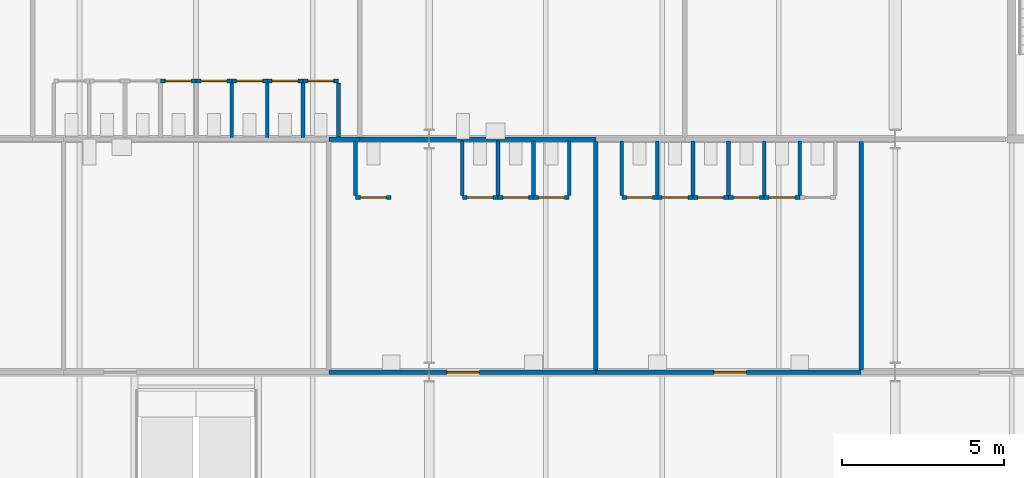
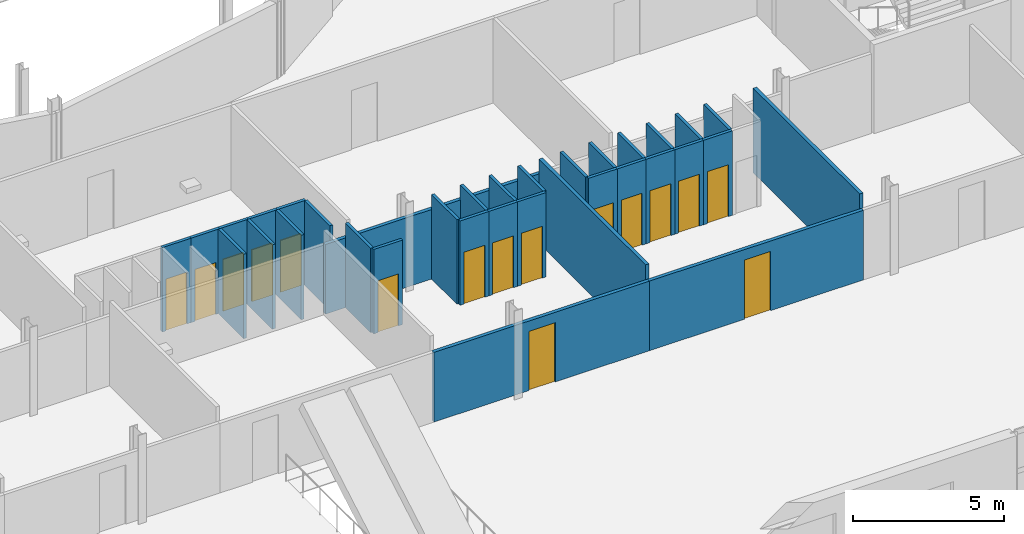
# One storey, part 70 of 143: 35 walls, 16 doors, 16 openings.
"""IFC4 building model written with IfcOpenShell, lengths in metres."""

import ifcopenshell
import ifcopenshell.guid

model = None  # the IFC model being written
_history = None  # IfcOwnerHistory: only IFC2X3 demands one
_inside = {}  # id of a spatial element -> (the spatial element, [elements in it])
_under = {}  # id of a project, library or spatial element -> (it, [spatial elements below it])
_declared = {}  # id of a project -> (the project, [libraries it declares])
_typed = {}  # id of a type object -> (the type object, [elements of that type])
_made_of = {}  # id of a material, layer set ... -> (it, [elements and type objects made of it])


def new_model(schema):
    """Start an empty IFC model of exactly this schema.

    Asked for "IFC4X3", IfcOpenShell would pick the latest addendum, in which some entities
    have other attributes; the version numbers below select the first issue.
    IFC2X3 requires an IfcOwnerHistory on every rooted entity: one is made here for all.
    """
    global model, _history
    if schema == "IFC4X3":
        model = ifcopenshell.file(schema_version=(4, 3, 0, 0))
    else:
        model = ifcopenshell.file(schema=schema)
    _inside.clear()
    _under.clear()
    _declared.clear()
    _typed.clear()
    _made_of.clear()
    _history = None
    if model.schema == "IFC2X3":
        org = make("IfcOrganization", Name="unknown")
        user = make(
            "IfcPersonAndOrganization",
            ThePerson=make("IfcPerson", FamilyName="unknown"),
            TheOrganization=org,
        )
        app = make(
            "IfcApplication",
            ApplicationDeveloper=org,
            Version="unknown",
            ApplicationFullName="unknown",
            ApplicationIdentifier="unknown",
        )
        _history = make(
            "IfcOwnerHistory",
            OwningUser=user,
            OwningApplication=app,
            ChangeAction="ADDED",
            CreationDate=0,
        )
    return model


def make(cls, **values):
    """One entity of the class cls with the attributes given. An attribute that is None is left unset."""
    return model.create_entity(
        cls, **{name: value for name, value in values.items() if value is not None}
    )


def rooted(cls, **values):
    """An entity with a GlobalId (a new one), such as an element, a storey or a relation."""
    return make(cls, GlobalId=ifcopenshell.guid.new(), OwnerHistory=_history, **values)


def si_unit(unit_type, name, prefix=None):
    """IfcSIUnit, for example si_unit("LENGTHUNIT", "METRE", prefix="MILLI")."""
    return make("IfcSIUnit", UnitType=unit_type, Prefix=prefix, Name=name)


def assignment(units):
    """IfcUnitAssignment: the units of a project."""
    return None if units is None else make("IfcUnitAssignment", Units=units)


def point(xyz):
    """IfcCartesianPoint."""
    return None if xyz is None else make("IfcCartesianPoint", Coordinates=xyz)


def direction(xyz):
    """IfcDirection."""
    return None if xyz is None else make("IfcDirection", DirectionRatios=xyz)


def frame(location, z_axis=None, x_axis=None):
    """IfcAxis2Placement3D, a coordinate frame: its origin and axes. An axis left out is left unset."""
    return make(
        "IfcAxis2Placement3D",
        Location=point(location),
        Axis=direction(z_axis),
        RefDirection=direction(x_axis),
    )


def frame_2d(location, x_axis=None):
    """IfcAxis2Placement2D, a coordinate frame in the plane: its origin and x axis."""
    return make(
        "IfcAxis2Placement2D", Location=point(location), RefDirection=direction(x_axis)
    )


def origin():
    """The frame at (0, 0, 0) with its axes left unset."""
    return frame((0.0, 0.0, 0.0))


def place(relative_to, where):
    """IfcLocalPlacement: puts the frame where relative to a parent placement (None: the world)."""
    return make(
        "IfcLocalPlacement", PlacementRelTo=relative_to, RelativePlacement=where
    )


def context(
    kind, dimensions, precision=None, world=None, true_north=None, identifier=None
):
    """IfcGeometricRepresentationContext, for example the 3D "Model" context."""
    return make(
        "IfcGeometricRepresentationContext",
        ContextIdentifier=identifier,
        ContextType=kind,
        CoordinateSpaceDimension=dimensions,
        Precision=precision,
        WorldCoordinateSystem=world,
        TrueNorth=true_north,
    )


def subcontext(parent, identifier, kind, view, scale=None):
    """IfcGeometricRepresentationSubContext, for example "Body" below "Model"."""
    return make(
        "IfcGeometricRepresentationSubContext",
        ContextIdentifier=identifier,
        ContextType=kind,
        ParentContext=parent,
        TargetScale=scale,
        TargetView=view,
    )


def project(units=None, contexts=None):
    """IfcProject with its units and contexts."""
    return rooted(
        "IfcProject",
        Name="project",
        RepresentationContexts=contexts,
        UnitsInContext=assignment(units),
    )


def spatial(cls, under=None, at=None, **own):
    """A site, building, storey or space (cls), placed at a placement, below another one or the project."""
    s = rooted(cls, ObjectPlacement=at, **own)
    if under is not None:
        _under.setdefault(under.id(), (under, []))[1].append(s)
    return s


def profile(cls, at=None, kind="AREA", **sizes):
    """A parametric profile (cls). Its sizes go by their IFC names, for example OverallWidth=200.0."""
    return make(cls, ProfileType=kind, Position=at, **sizes)


def rectangle(**sizes):
    """IfcRectangleProfileDef."""
    return profile("IfcRectangleProfileDef", **sizes)


def extrude(swept, where, along, depth):
    """IfcExtrudedAreaSolid: the profile swept, set in the frame where, extruded along a direction by depth."""
    return make(
        "IfcExtrudedAreaSolid",
        SweptArea=swept,
        Position=where,
        ExtrudedDirection=direction(along),
        Depth=depth,
    )


def shape(context_of_items, identifier, shape_type, items):
    """IfcShapeRepresentation: the items that make up one representation, for example the "Body"."""
    return make(
        "IfcShapeRepresentation",
        ContextOfItems=context_of_items,
        RepresentationIdentifier=identifier,
        RepresentationType=shape_type,
        Items=items,
    )


def material(Name=None, Category=None):
    """IfcMaterial."""
    return make("IfcMaterial", Name=Name, Category=Category)


def layer(
    of_material, thickness, ventilated=None, Name=None, Category=None, Priority=None
):
    """IfcMaterialLayer: one layer of a wall or slab, of a material (None: an air gap)."""
    return make(
        "IfcMaterialLayer",
        Material=of_material,
        LayerThickness=thickness,
        IsVentilated=ventilated,
        Name=Name,
        Category=Category,
        Priority=Priority,
    )


def layer_set(layers, Name=None):
    """IfcMaterialLayerSet."""
    return make("IfcMaterialLayerSet", MaterialLayers=layers, LayerSetName=Name)


def made_of(thing, what):
    """Note that an element or type object is made of a material, layer set ...; save() writes the relation."""
    if what is not None:
        _made_of.setdefault(what.id(), (what, []))[1].append(thing)
    return thing


def type_object(cls, material=None, **own):
    """A type object (cls), such as IfcWallType, which elements share."""
    return made_of(rooted(cls, **own), material)


def element(
    cls,
    number,
    at=None,
    inside=None,
    cuts=None,
    type_object=None,
    material=None,
    context=None,
    identifier="Body",
    shape_type=None,
    held_by="IfcProductDefinitionShape",
    body=None,
    shapes=None,
    **own,
):
    """One element of the class cls, such as IfcWall. Its Tag is "e" and its number.

    at: its placement. inside: the storey or other place that contains it. cuts: it is an
    opening in that element (IfcRelVoidsElement). A single representation is given by context,
    identifier, shape_type and body (its items); several are given by shapes. held_by: the class
    of the entity that holds the representations. save() writes the other relations.
    """
    e = rooted(cls, Tag="e%d" % number, ObjectPlacement=at, **own)
    if body is not None:
        shapes = [shape(context, identifier, shape_type, body)]
    if shapes is not None:
        e.Representation = make(held_by, Representations=shapes)
    if inside is not None:
        _inside.setdefault(inside.id(), (inside, []))[1].append(e)
    if cuts is not None:
        rooted(
            "IfcRelVoidsElement", RelatingBuildingElement=cuts, RelatedOpeningElement=e
        )
    if type_object is not None:
        _typed.setdefault(type_object.id(), (type_object, []))[1].append(e)
    return made_of(e, material)


def fill(opening, filler):
    """IfcRelFillsElement: the door or window that sits in an opening."""
    return rooted(
        "IfcRelFillsElement",
        RelatingOpeningElement=opening,
        RelatedBuildingElement=filler,
    )


def aggregate(whole, parts):
    """IfcRelAggregates: a whole, such as a stair, and the parts it consists of."""
    return rooted("IfcRelAggregates", RelatingObject=whole, RelatedObjects=parts)


def save(model, path):
    """Write the relations noted so far, then the file.

    IfcRelAggregates (storeys below a building ...), IfcRelContainedInSpatialStructure (elements
    in a storey), IfcRelDefinesByType, IfcRelAssociatesMaterial and IfcRelDeclares: one each for
    every whole, place, type object, material and project.
    """
    for whole, parts in _under.values():
        aggregate(whole, parts)
    for where, things in _inside.values():
        rooted(
            "IfcRelContainedInSpatialStructure",
            RelatedElements=things,
            RelatingStructure=where,
        )
    for kind, things in _typed.values():
        rooted("IfcRelDefinesByType", RelatedObjects=things, RelatingType=kind)
    for what, things in _made_of.values():
        rooted("IfcRelAssociatesMaterial", RelatedObjects=things, RelatingMaterial=what)
    for by, libraries in _declared.values():
        rooted("IfcRelDeclares", RelatingContext=by, RelatedDefinitions=libraries)
    model.write(path)


model = new_model("IFC4")

# Units and contexts
model_context = context("Model", 3, precision=1e-05, world=origin(), true_north=direction((0.0, 1.0)))
body_context = subcontext(model_context, "Body", "Model", "MODEL_VIEW")
ifc_project = project(units=[si_unit("LENGTHUNIT", "METRE"), si_unit("AREAUNIT", "SQUARE_METRE"), si_unit("VOLUMEUNIT", "CUBIC_METRE"), si_unit("PLANEANGLEUNIT", "RADIAN"), si_unit("MASSUNIT", "GRAM", prefix="KILO")], contexts=[model_context])

# Site, building, storey
site_placement = place(None, origin())
site = spatial("IfcSite", under=ifc_project, at=site_placement, CompositionType="ELEMENT")
building_placement = place(site_placement, origin())
building = spatial("IfcBuilding", under=site, at=building_placement, Name="Kupolbacken Congress Centre", CompositionType="ELEMENT")
storey_placement = place(building_placement, frame((0.0, 0.0, 7.199951171875)))
storey = spatial("IfcBuildingStorey", under=building, at=storey_placement, Name="L02", CompositionType="ELEMENT", Elevation=7.199951171875)

# Wall, opening, door
ifc_material_1 = material(Name="Gypsum board", Category="drywall")
ifc_layer_1 = layer(ifc_material_1, 0.114990234375)
ifc_layer_set_1 = layer_set([ifc_layer_1], Name="Gypsum board")
wall_type_1 = type_object("IfcWallType", Name="P04 partition 115", PredefinedType="PARTITIONING", material=ifc_layer_set_1)
wall_1_placement = place(storey_placement, frame((48.125, 48.60009765625, 0.0), z_axis=(0.0, 0.0, 1.0), x_axis=(1.0, 0.0, 0.0)))
wall_1 = element("IfcWall", 1, at=wall_1_placement, inside=storey, type_object=wall_type_1, Name="PD/L02/F-18/cub01/F", PredefinedType="PARTITIONING", context=body_context, shape_type="SweptSolid", body=[
    extrude(rectangle(XDim=1.10009765625, YDim=0.114990234375, at=frame_2d((0.550048828125, 0.0))), origin(), (0.0, 0.0, 1.0), 3.420166015625),
])
opening_1_placement = place(wall_1_placement, frame((0.14990234375, 0.0, 0.0)))
opening_1 = element("IfcOpeningElement", 2, at=opening_1_placement, cuts=wall_1, Name="Opening 2.WF45", PredefinedType="OPENING", context=body_context, shape_type="SweptSolid", body=[
    extrude(rectangle(XDim=0.800048828125, YDim=2.10009765625, at=frame_2d((0.39990234375, 1.050048828125))), frame((0.0, 0.0673828125, 0.0), z_axis=(0.0, -1.0, 0.0), x_axis=(1.0, 0.0, 0.0)), (0.0, 0.0, 1.0), 0.135009765625),
])
ifc_material_2 = material(Name="Timber door leaf", Category="wood")
door_type_1 = type_object("IfcDoorType", Name="D2 door 800x2100", OperationType="SINGLE_SWING_LEFT", PredefinedType="DOOR", material=ifc_material_2)
door_1_placement = place(opening_1_placement, origin())
door_1 = element("IfcDoor", 3, at=door_1_placement, inside=storey, type_object=door_type_1, Name="PD/L02/F-18/cub01/F/DC", OperationType="SINGLE_SWING_RIGHT", OverallHeight=2.10009765625, OverallWidth=0.800048828125, PredefinedType="DOOR", context=body_context, shape_type="SweptSolid", body=[
    extrude(rectangle(XDim=0.800048828125, YDim=2.10009765625, at=frame_2d((0.39990234375, 1.050048828125))), frame((0.0, 0.02490234375, 0.0), z_axis=(0.0, -1.0, 0.0), x_axis=(1.0, 0.0, 0.0)), (0.0, 0.0, 1.0), 0.050048828125),
])
fill(opening_1, door_1)

# Wall
wall_2_placement = place(storey_placement, frame((48.125, 50.342529296875, 0.0), z_axis=(0.0, 0.0, 1.0), x_axis=(0.0, -1.0, 0.0)))
element("IfcWall", 4, at=wall_2_placement, inside=storey, type_object=wall_type_1, Name="PD/L02/F-18/cub01/a", PredefinedType="PARTITIONING", context=body_context, shape_type="SweptSolid", body=[
    extrude(rectangle(XDim=1.68505859375, YDim=0.114990234375, at=frame_2d((0.842529296875, 0.0))), origin(), (0.0, 0.0, 1.0), 3.420166015625),
])

# Wall, opening, door
wall_3_placement = place(storey_placement, frame((51.425048828125, 48.60009765625, 0.0), z_axis=(0.0, 0.0, 1.0), x_axis=(1.0, 0.0, 0.0)))
wall_3 = element("IfcWall", 5, at=wall_3_placement, inside=storey, type_object=wall_type_1, Name="PD/L02/F-18/cub04/F", PredefinedType="PARTITIONING", context=body_context, shape_type="SweptSolid", body=[
    extrude(rectangle(XDim=1.099853515625, YDim=0.114990234375, at=frame_2d((0.5498046875, 0.0))), origin(), (0.0, 0.0, 1.0), 3.420166015625),
])
opening_2_placement = place(wall_3_placement, frame((0.14990234375, 0.0, 0.0)))
opening_2 = element("IfcOpeningElement", 6, at=opening_2_placement, cuts=wall_3, Name="Opening 2.WF46", PredefinedType="OPENING", context=body_context, shape_type="SweptSolid", body=[
    extrude(rectangle(XDim=0.800048828125, YDim=2.10009765625, at=frame_2d((0.39990234375, 1.050048828125))), frame((0.0, 0.0673828125, 0.0), z_axis=(0.0, -1.0, 0.0), x_axis=(1.0, 0.0, 0.0)), (0.0, 0.0, 1.0), 0.135009765625),
])
door_2_placement = place(opening_2_placement, origin())
door_2 = element("IfcDoor", 7, at=door_2_placement, inside=storey, type_object=door_type_1, Name="PD/L02/F-18/cub04/F/DC", OperationType="SINGLE_SWING_LEFT", OverallHeight=2.10009765625, OverallWidth=0.800048828125, PredefinedType="DOOR", context=body_context, shape_type="SweptSolid", body=[
    extrude(rectangle(XDim=0.800048828125, YDim=2.10009765625, at=frame_2d((0.39990234375, 1.050048828125))), frame((0.0, 0.02490234375, 0.0), z_axis=(0.0, -1.0, 0.0), x_axis=(1.0, 0.0, 0.0)), (0.0, 0.0, 1.0), 0.050048828125),
])
fill(opening_2, door_2)

# Wall
wall_4_placement = place(storey_placement, frame((51.425048828125, 50.342529296875, 0.0), z_axis=(0.0, 0.0, 1.0), x_axis=(0.0, -1.0, 0.0)))
element("IfcWall", 8, at=wall_4_placement, inside=storey, type_object=wall_type_1, Name="PD/L02/F-18/cub04/a", PredefinedType="PARTITIONING", context=body_context, shape_type="SweptSolid", body=[
    extrude(rectangle(XDim=1.68505859375, YDim=0.114990234375, at=frame_2d((0.842529296875, 0.0))), origin(), (0.0, 0.0, 1.0), 3.420166015625),
])

# Wall, opening, door
wall_5_placement = place(storey_placement, frame((52.52490234375, 48.60009765625, 0.0), z_axis=(0.0, 0.0, 1.0), x_axis=(1.0, 0.0, 0.0)))
wall_5 = element("IfcWall", 9, at=wall_5_placement, inside=storey, type_object=wall_type_1, Name="PD/L02/F-18/cub05/F", PredefinedType="PARTITIONING", context=body_context, shape_type="SweptSolid", body=[
    extrude(rectangle(XDim=1.10009765625, YDim=0.114990234375, at=frame_2d((0.550048828125, 0.0))), origin(), (0.0, 0.0, 1.0), 3.420166015625),
])
opening_3_placement = place(wall_5_placement, frame((0.14990234375, 0.0, 0.0)))
opening_3 = element("IfcOpeningElement", 10, at=opening_3_placement, cuts=wall_5, Name="Opening 2.WF47", PredefinedType="OPENING", context=body_context, shape_type="SweptSolid", body=[
    extrude(rectangle(XDim=0.800048828125, YDim=2.10009765625, at=frame_2d((0.39990234375, 1.050048828125))), frame((0.0, 0.0673828125, 0.0), z_axis=(0.0, -1.0, 0.0), x_axis=(1.0, 0.0, 0.0)), (0.0, 0.0, 1.0), 0.135009765625),
])
door_3_placement = place(opening_3_placement, origin())
door_3 = element("IfcDoor", 11, at=door_3_placement, inside=storey, type_object=door_type_1, Name="PD/L02/F-18/cub05/F/DC", OperationType="SINGLE_SWING_RIGHT", OverallHeight=2.10009765625, OverallWidth=0.800048828125, PredefinedType="DOOR", context=body_context, shape_type="SweptSolid", body=[
    extrude(rectangle(XDim=0.800048828125, YDim=2.10009765625, at=frame_2d((0.39990234375, 1.050048828125))), frame((0.0, 0.02490234375, 0.0), z_axis=(0.0, -1.0, 0.0), x_axis=(1.0, 0.0, 0.0)), (0.0, 0.0, 1.0), 0.050048828125),
])
fill(opening_3, door_3)

# Wall
wall_6_placement = place(storey_placement, frame((52.52490234375, 50.342529296875, 0.0), z_axis=(0.0, 0.0, 1.0), x_axis=(0.0, -1.0, 0.0)))
element("IfcWall", 12, at=wall_6_placement, inside=storey, type_object=wall_type_1, Name="PD/L02/F-18/cub05/a", PredefinedType="PARTITIONING", context=body_context, shape_type="SweptSolid", body=[
    extrude(rectangle(XDim=1.68505859375, YDim=0.114990234375, at=frame_2d((0.842529296875, 0.0))), origin(), (0.0, 0.0, 1.0), 3.420166015625),
])

# Wall, opening, door
wall_7_placement = place(storey_placement, frame((53.625, 48.60009765625, 0.0), z_axis=(0.0, 0.0, 1.0), x_axis=(1.0, 0.0, 0.0)))
wall_7 = element("IfcWall", 13, at=wall_7_placement, inside=storey, type_object=wall_type_1, Name="PD/L02/F-18/cub06/F", PredefinedType="PARTITIONING", context=body_context, shape_type="SweptSolid", body=[
    extrude(rectangle(XDim=1.10009765625, YDim=0.114990234375, at=frame_2d((0.550048828125, 0.0))), origin(), (0.0, 0.0, 1.0), 3.420166015625),
])
opening_4_placement = place(wall_7_placement, frame((0.14990234375, 0.0, 0.0)))
opening_4 = element("IfcOpeningElement", 14, at=opening_4_placement, cuts=wall_7, Name="Opening 2.WF48", PredefinedType="OPENING", context=body_context, shape_type="SweptSolid", body=[
    extrude(rectangle(XDim=0.800048828125, YDim=2.10009765625, at=frame_2d((0.39990234375, 1.050048828125))), frame((0.0, 0.0673828125, 0.0), z_axis=(0.0, -1.0, 0.0), x_axis=(1.0, 0.0, 0.0)), (0.0, 0.0, 1.0), 0.135009765625),
])
door_4_placement = place(opening_4_placement, origin())
door_4 = element("IfcDoor", 15, at=door_4_placement, inside=storey, type_object=door_type_1, Name="PD/L02/F-18/cub06/F/DC", OperationType="SINGLE_SWING_LEFT", OverallHeight=2.10009765625, OverallWidth=0.800048828125, PredefinedType="DOOR", context=body_context, shape_type="SweptSolid", body=[
    extrude(rectangle(XDim=0.800048828125, YDim=2.10009765625, at=frame_2d((0.39990234375, 1.050048828125))), frame((0.0, 0.02490234375, 0.0), z_axis=(0.0, -1.0, 0.0), x_axis=(1.0, 0.0, 0.0)), (0.0, 0.0, 1.0), 0.050048828125),
])
fill(opening_4, door_4)

# Walls
for number, where, z_axis, x_axis, name in (
    (16, (53.625, 50.342529296875, 0.0), (0.0, 0.0, 1.0), (0.0, -1.0, 0.0), "PD/L02/F-18/cub06/a"),
    (17, (54.72509765625, 50.342529296875, 0.0), (0.0, 0.0, 1.0), (0.0, -1.0, 0.0), "PD/L02/F-18/cub06/b"),
):
    element("IfcWall", number, at=place(storey_placement, frame(where, z_axis=z_axis, x_axis=x_axis)), inside=storey, type_object=wall_type_1, Name=name, PredefinedType="PARTITIONING", context=body_context, shape_type="SweptSolid", body=[
        extrude(rectangle(XDim=1.68505859375, YDim=0.114990234375, at=frame_2d((0.842529296875, 0.0))), origin(), (0.0, 0.0, 1.0), 3.420166015625),
    ])

# Wall, opening, door
wall_8_placement = place(storey_placement, frame((56.35009765625, 48.60009765625, 0.0), z_axis=(0.0, 0.0, 1.0), x_axis=(1.0, 0.0, 0.0)))
wall_8 = element("IfcWall", 18, at=wall_8_placement, inside=storey, type_object=wall_type_1, Name="PD/L02/F-19/cub01/F", PredefinedType="PARTITIONING", context=body_context, shape_type="SweptSolid", body=[
    extrude(rectangle(XDim=1.099853515625, YDim=0.114990234375, at=frame_2d((0.5498046875, 0.0))), origin(), (0.0, 0.0, 1.0), 3.420166015625),
])
opening_5_placement = place(wall_8_placement, frame((0.14990234375, 0.0, 0.0)))
opening_5 = element("IfcOpeningElement", 19, at=opening_5_placement, cuts=wall_8, Name="Opening 2.WF49", PredefinedType="OPENING", context=body_context, shape_type="SweptSolid", body=[
    extrude(rectangle(XDim=0.800048828125, YDim=2.10009765625, at=frame_2d((0.39990234375, 1.050048828125))), frame((0.0, 0.0673828125, 0.0), z_axis=(0.0, -1.0, 0.0), x_axis=(1.0, 0.0, 0.0)), (0.0, 0.0, 1.0), 0.135009765625),
])
door_5_placement = place(opening_5_placement, origin())
door_5 = element("IfcDoor", 20, at=door_5_placement, inside=storey, type_object=door_type_1, Name="PD/L02/F-19/cub01/F/DC", OperationType="SINGLE_SWING_RIGHT", OverallHeight=2.10009765625, OverallWidth=0.800048828125, PredefinedType="DOOR", context=body_context, shape_type="SweptSolid", body=[
    extrude(rectangle(XDim=0.800048828125, YDim=2.10009765625, at=frame_2d((0.39990234375, 1.050048828125))), frame((0.0, 0.02490234375, 0.0), z_axis=(0.0, -1.0, 0.0), x_axis=(1.0, 0.0, 0.0)), (0.0, 0.0, 1.0), 0.050048828125),
])
fill(opening_5, door_5)

# Wall
wall_9_placement = place(storey_placement, frame((56.35009765625, 50.342529296875, 0.0), z_axis=(0.0, 0.0, 1.0), x_axis=(0.0, -1.0, 0.0)))
element("IfcWall", 21, at=wall_9_placement, inside=storey, type_object=wall_type_1, Name="PD/L02/F-19/cub01/a", PredefinedType="PARTITIONING", context=body_context, shape_type="SweptSolid", body=[
    extrude(rectangle(XDim=1.68505859375, YDim=0.114990234375, at=frame_2d((0.842529296875, 0.0))), origin(), (0.0, 0.0, 1.0), 3.420166015625),
])

# Wall, opening, door
wall_10_placement = place(storey_placement, frame((57.449951171875, 48.60009765625, 0.0), z_axis=(0.0, 0.0, 1.0), x_axis=(1.0, 0.0, 0.0)))
wall_10 = element("IfcWall", 22, at=wall_10_placement, inside=storey, type_object=wall_type_1, Name="PD/L02/F-19/cub02/F", PredefinedType="PARTITIONING", context=body_context, shape_type="SweptSolid", body=[
    extrude(rectangle(XDim=1.10009765625, YDim=0.114990234375, at=frame_2d((0.550048828125, 0.0))), origin(), (0.0, 0.0, 1.0), 3.420166015625),
])
opening_6_placement = place(wall_10_placement, frame((0.14990234375, 0.0, 0.0)))
opening_6 = element("IfcOpeningElement", 23, at=opening_6_placement, cuts=wall_10, Name="Opening 2.WF50", PredefinedType="OPENING", context=body_context, shape_type="SweptSolid", body=[
    extrude(rectangle(XDim=0.800048828125, YDim=2.10009765625, at=frame_2d((0.39990234375, 1.050048828125))), frame((0.0, 0.0673828125, 0.0), z_axis=(0.0, -1.0, 0.0), x_axis=(1.0, 0.0, 0.0)), (0.0, 0.0, 1.0), 0.135009765625),
])
door_6_placement = place(opening_6_placement, origin())
door_6 = element("IfcDoor", 24, at=door_6_placement, inside=storey, type_object=door_type_1, Name="PD/L02/F-19/cub02/F/DC", OperationType="SINGLE_SWING_RIGHT", OverallHeight=2.10009765625, OverallWidth=0.800048828125, PredefinedType="DOOR", context=body_context, shape_type="SweptSolid", body=[
    extrude(rectangle(XDim=0.800048828125, YDim=2.10009765625, at=frame_2d((0.39990234375, 1.050048828125))), frame((0.0, 0.02490234375, 0.0), z_axis=(0.0, -1.0, 0.0), x_axis=(1.0, 0.0, 0.0)), (0.0, 0.0, 1.0), 0.050048828125),
])
fill(opening_6, door_6)

# Wall
wall_11_placement = place(storey_placement, frame((57.449951171875, 50.342529296875, 0.0), z_axis=(0.0, 0.0, 1.0), x_axis=(0.0, -1.0, 0.0)))
element("IfcWall", 25, at=wall_11_placement, inside=storey, type_object=wall_type_1, Name="PD/L02/F-19/cub02/a", PredefinedType="PARTITIONING", context=body_context, shape_type="SweptSolid", body=[
    extrude(rectangle(XDim=1.68505859375, YDim=0.114990234375, at=frame_2d((0.842529296875, 0.0))), origin(), (0.0, 0.0, 1.0), 3.420166015625),
])

# Wall, opening, door
wall_12_placement = place(storey_placement, frame((58.550048828125, 48.60009765625, 0.0), z_axis=(0.0, 0.0, 1.0), x_axis=(1.0, 0.0, 0.0)))
wall_12 = element("IfcWall", 26, at=wall_12_placement, inside=storey, type_object=wall_type_1, Name="PD/L02/F-19/cub03/F", PredefinedType="PARTITIONING", context=body_context, shape_type="SweptSolid", body=[
    extrude(rectangle(XDim=1.099853515625, YDim=0.114990234375, at=frame_2d((0.5498046875, 0.0))), origin(), (0.0, 0.0, 1.0), 3.420166015625),
])
opening_7_placement = place(wall_12_placement, frame((0.14990234375, 0.0, 0.0)))
opening_7 = element("IfcOpeningElement", 27, at=opening_7_placement, cuts=wall_12, Name="Opening 2.WF51", PredefinedType="OPENING", context=body_context, shape_type="SweptSolid", body=[
    extrude(rectangle(XDim=0.800048828125, YDim=2.10009765625, at=frame_2d((0.39990234375, 1.050048828125))), frame((0.0, 0.0673828125, 0.0), z_axis=(0.0, -1.0, 0.0), x_axis=(1.0, 0.0, 0.0)), (0.0, 0.0, 1.0), 0.135009765625),
])
door_7_placement = place(opening_7_placement, origin())
door_7 = element("IfcDoor", 28, at=door_7_placement, inside=storey, type_object=door_type_1, Name="PD/L02/F-19/cub03/F/DC", OperationType="SINGLE_SWING_RIGHT", OverallHeight=2.10009765625, OverallWidth=0.800048828125, PredefinedType="DOOR", context=body_context, shape_type="SweptSolid", body=[
    extrude(rectangle(XDim=0.800048828125, YDim=2.10009765625, at=frame_2d((0.39990234375, 1.050048828125))), frame((0.0, 0.02490234375, 0.0), z_axis=(0.0, -1.0, 0.0), x_axis=(1.0, 0.0, 0.0)), (0.0, 0.0, 1.0), 0.050048828125),
])
fill(opening_7, door_7)

# Wall
wall_13_placement = place(storey_placement, frame((58.550048828125, 50.342529296875, 0.0), z_axis=(0.0, 0.0, 1.0), x_axis=(0.0, -1.0, 0.0)))
element("IfcWall", 29, at=wall_13_placement, inside=storey, type_object=wall_type_1, Name="PD/L02/F-19/cub03/a", PredefinedType="PARTITIONING", context=body_context, shape_type="SweptSolid", body=[
    extrude(rectangle(XDim=1.68505859375, YDim=0.114990234375, at=frame_2d((0.842529296875, 0.0))), origin(), (0.0, 0.0, 1.0), 3.420166015625),
])

# Wall, opening, door
wall_14_placement = place(storey_placement, frame((59.64990234375, 48.60009765625, 0.0), z_axis=(0.0, 0.0, 1.0), x_axis=(1.0, 0.0, 0.0)))
wall_14 = element("IfcWall", 30, at=wall_14_placement, inside=storey, type_object=wall_type_1, Name="PD/L02/F-19/cub04/F", PredefinedType="PARTITIONING", context=body_context, shape_type="SweptSolid", body=[
    extrude(rectangle(XDim=1.10009765625, YDim=0.114990234375, at=frame_2d((0.550048828125, 0.0))), origin(), (0.0, 0.0, 1.0), 3.420166015625),
])
opening_8_placement = place(wall_14_placement, frame((0.14990234375, 0.0, 0.0)))
opening_8 = element("IfcOpeningElement", 31, at=opening_8_placement, cuts=wall_14, Name="Opening 2.WF52", PredefinedType="OPENING", context=body_context, shape_type="SweptSolid", body=[
    extrude(rectangle(XDim=0.800048828125, YDim=2.10009765625, at=frame_2d((0.39990234375, 1.050048828125))), frame((0.0, 0.0673828125, 0.0), z_axis=(0.0, -1.0, 0.0), x_axis=(1.0, 0.0, 0.0)), (0.0, 0.0, 1.0), 0.135009765625),
])
door_8_placement = place(opening_8_placement, origin())
door_8 = element("IfcDoor", 32, at=door_8_placement, inside=storey, type_object=door_type_1, Name="PD/L02/F-19/cub04/F/DC", OperationType="SINGLE_SWING_LEFT", OverallHeight=2.10009765625, OverallWidth=0.800048828125, PredefinedType="DOOR", context=body_context, shape_type="SweptSolid", body=[
    extrude(rectangle(XDim=0.800048828125, YDim=2.10009765625, at=frame_2d((0.39990234375, 1.050048828125))), frame((0.0, 0.02490234375, 0.0), z_axis=(0.0, -1.0, 0.0), x_axis=(1.0, 0.0, 0.0)), (0.0, 0.0, 1.0), 0.050048828125),
])
fill(opening_8, door_8)

# Wall
wall_15_placement = place(storey_placement, frame((59.64990234375, 50.342529296875, 0.0), z_axis=(0.0, 0.0, 1.0), x_axis=(0.0, -1.0, 0.0)))
element("IfcWall", 33, at=wall_15_placement, inside=storey, type_object=wall_type_1, Name="PD/L02/F-19/cub04/a", PredefinedType="PARTITIONING", context=body_context, shape_type="SweptSolid", body=[
    extrude(rectangle(XDim=1.68505859375, YDim=0.114990234375, at=frame_2d((0.842529296875, 0.0))), origin(), (0.0, 0.0, 1.0), 3.420166015625),
])

# Wall, opening, door
wall_16_placement = place(storey_placement, frame((60.75, 48.60009765625, 0.0), z_axis=(0.0, 0.0, 1.0), x_axis=(1.0, 0.0, 0.0)))
wall_16 = element("IfcWall", 34, at=wall_16_placement, inside=storey, type_object=wall_type_1, Name="PD/L02/F-19/cub05/F", PredefinedType="PARTITIONING", context=body_context, shape_type="SweptSolid", body=[
    extrude(rectangle(XDim=1.10009765625, YDim=0.114990234375, at=frame_2d((0.550048828125, 0.0))), origin(), (0.0, 0.0, 1.0), 3.420166015625),
])
opening_9_placement = place(wall_16_placement, frame((0.14990234375, 0.0, 0.0)))
opening_9 = element("IfcOpeningElement", 35, at=opening_9_placement, cuts=wall_16, Name="Opening 2.WF53", PredefinedType="OPENING", context=body_context, shape_type="SweptSolid", body=[
    extrude(rectangle(XDim=0.800048828125, YDim=2.10009765625, at=frame_2d((0.39990234375, 1.050048828125))), frame((0.0, 0.0673828125, 0.0), z_axis=(0.0, -1.0, 0.0), x_axis=(1.0, 0.0, 0.0)), (0.0, 0.0, 1.0), 0.135009765625),
])
door_9_placement = place(opening_9_placement, origin())
door_9 = element("IfcDoor", 36, at=door_9_placement, inside=storey, type_object=door_type_1, Name="PD/L02/F-19/cub05/F/DC", OperationType="SINGLE_SWING_RIGHT", OverallHeight=2.10009765625, OverallWidth=0.800048828125, PredefinedType="DOOR", context=body_context, shape_type="SweptSolid", body=[
    extrude(rectangle(XDim=0.800048828125, YDim=2.10009765625, at=frame_2d((0.39990234375, 1.050048828125))), frame((0.0, 0.02490234375, 0.0), z_axis=(0.0, -1.0, 0.0), x_axis=(1.0, 0.0, 0.0)), (0.0, 0.0, 1.0), 0.050048828125),
])
fill(opening_9, door_9)

# Walls
for number, where, z_axis, x_axis, name in (
    (37, (60.75, 50.342529296875, 0.0), (0.0, 0.0, 1.0), (0.0, -1.0, 0.0), "PD/L02/F-19/cub05/a"),
    (38, (61.85009765625, 50.342529296875, 0.0), (0.0, 0.0, 1.0), (0.0, -1.0, 0.0), "PD/L02/F-19/cub06/a"),
):
    element("IfcWall", number, at=place(storey_placement, frame(where, z_axis=z_axis, x_axis=x_axis)), inside=storey, type_object=wall_type_1, Name=name, PredefinedType="PARTITIONING", context=body_context, shape_type="SweptSolid", body=[
        extrude(rectangle(XDim=1.68505859375, YDim=0.114990234375, at=frame_2d((0.842529296875, 0.0))), origin(), (0.0, 0.0, 1.0), 3.420166015625),
    ])

# Wall, opening, door
wall_17_placement = place(storey_placement, frame((42.10009765625, 52.199951171875, 0.0), z_axis=(0.0, 0.0, 1.0), x_axis=(1.0, 0.0, 0.0)))
wall_17 = element("IfcWall", 39, at=wall_17_placement, inside=storey, type_object=wall_type_1, Name="PD/L02/P-24-6/cub04/F", PredefinedType="PARTITIONING", context=body_context, shape_type="SweptSolid", body=[
    extrude(rectangle(XDim=1.099853515625, YDim=0.114990234375, at=frame_2d((0.5498046875, 0.0))), origin(), (0.0, 0.0, 1.0), 3.420166015625),
])
opening_10_placement = place(wall_17_placement, frame((0.14990234375, 0.0, 0.0)))
opening_10 = element("IfcOpeningElement", 40, at=opening_10_placement, cuts=wall_17, Name="Opening 2.WP64", PredefinedType="OPENING", context=body_context, shape_type="SweptSolid", body=[
    extrude(rectangle(XDim=0.800048828125, YDim=2.10009765625, at=frame_2d((0.39990234375, 1.050048828125))), frame((0.0, 0.0673828125, 0.0), z_axis=(0.0, -1.0, 0.0), x_axis=(1.0, 0.0, 0.0)), (0.0, 0.0, 1.0), 0.135009765625),
])
door_10_placement = place(opening_10_placement, origin())
door_10 = element("IfcDoor", 41, at=door_10_placement, inside=storey, type_object=door_type_1, Name="PD/L02/P-24-6/cub04/F/DC", OperationType="SINGLE_SWING_RIGHT", OverallHeight=2.10009765625, OverallWidth=0.800048828125, PredefinedType="DOOR", context=body_context, shape_type="SweptSolid", body=[
    extrude(rectangle(XDim=0.800048828125, YDim=2.10009765625, at=frame_2d((0.39990234375, 1.050048828125))), frame((0.0, 0.02490234375, 0.0), z_axis=(0.0, -1.0, 0.0), x_axis=(1.0, 0.0, 0.0)), (0.0, 0.0, 1.0), 0.050048828125),
])
fill(opening_10, door_10)

wall_18_placement = place(storey_placement, frame((43.199951171875, 52.199951171875, 0.0), z_axis=(0.0, 0.0, 1.0), x_axis=(1.0, 0.0, 0.0)))
wall_18 = element("IfcWall", 42, at=wall_18_placement, inside=storey, type_object=wall_type_1, Name="PD/L02/P-24-6/cub05/F", PredefinedType="PARTITIONING", context=body_context, shape_type="SweptSolid", body=[
    extrude(rectangle(XDim=1.10009765625, YDim=0.114990234375, at=frame_2d((0.550048828125, 0.0))), origin(), (0.0, 0.0, 1.0), 3.420166015625),
])
opening_11_placement = place(wall_18_placement, frame((0.14990234375, 0.0, 0.0)))
opening_11 = element("IfcOpeningElement", 43, at=opening_11_placement, cuts=wall_18, Name="Opening 2.WP65", PredefinedType="OPENING", context=body_context, shape_type="SweptSolid", body=[
    extrude(rectangle(XDim=0.800048828125, YDim=2.10009765625, at=frame_2d((0.39990234375, 1.050048828125))), frame((0.0, 0.0673828125, 0.0), z_axis=(0.0, -1.0, 0.0), x_axis=(1.0, 0.0, 0.0)), (0.0, 0.0, 1.0), 0.135009765625),
])
door_11_placement = place(opening_11_placement, origin())
door_11 = element("IfcDoor", 44, at=door_11_placement, inside=storey, type_object=door_type_1, Name="PD/L02/P-24-6/cub05/F/DC", OperationType="SINGLE_SWING_RIGHT", OverallHeight=2.10009765625, OverallWidth=0.800048828125, PredefinedType="DOOR", context=body_context, shape_type="SweptSolid", body=[
    extrude(rectangle(XDim=0.800048828125, YDim=2.10009765625, at=frame_2d((0.39990234375, 1.050048828125))), frame((0.0, 0.02490234375, 0.0), z_axis=(0.0, -1.0, 0.0), x_axis=(1.0, 0.0, 0.0)), (0.0, 0.0, 1.0), 0.050048828125),
])
fill(opening_11, door_11)

wall_19_placement = place(storey_placement, frame((44.300048828125, 52.199951171875, 0.0), z_axis=(0.0, 0.0, 1.0), x_axis=(1.0, 0.0, 0.0)))
wall_19 = element("IfcWall", 45, at=wall_19_placement, inside=storey, type_object=wall_type_1, Name="PD/L02/P-24-6/cub06/F", PredefinedType="PARTITIONING", context=body_context, shape_type="SweptSolid", body=[
    extrude(rectangle(XDim=1.099853515625, YDim=0.114990234375, at=frame_2d((0.5498046875, 0.0))), origin(), (0.0, 0.0, 1.0), 3.420166015625),
])
opening_12_placement = place(wall_19_placement, frame((0.14990234375, 0.0, 0.0)))
opening_12 = element("IfcOpeningElement", 46, at=opening_12_placement, cuts=wall_19, Name="Opening 2.WP66", PredefinedType="OPENING", context=body_context, shape_type="SweptSolid", body=[
    extrude(rectangle(XDim=0.800048828125, YDim=2.10009765625, at=frame_2d((0.39990234375, 1.050048828125))), frame((0.0, 0.0673828125, 0.0), z_axis=(0.0, -1.0, 0.0), x_axis=(1.0, 0.0, 0.0)), (0.0, 0.0, 1.0), 0.135009765625),
])
door_12_placement = place(opening_12_placement, origin())
door_12 = element("IfcDoor", 47, at=door_12_placement, inside=storey, type_object=door_type_1, Name="PD/L02/P-24-6/cub06/F/DC", OperationType="SINGLE_SWING_LEFT", OverallHeight=2.10009765625, OverallWidth=0.800048828125, PredefinedType="DOOR", context=body_context, shape_type="SweptSolid", body=[
    extrude(rectangle(XDim=0.800048828125, YDim=2.10009765625, at=frame_2d((0.39990234375, 1.050048828125))), frame((0.0, 0.02490234375, 0.0), z_axis=(0.0, -1.0, 0.0), x_axis=(1.0, 0.0, 0.0)), (0.0, 0.0, 1.0), 0.050048828125),
])
fill(opening_12, door_12)

# Wall
wall_20_placement = place(storey_placement, frame((44.300048828125, 50.45751953125, 0.0), z_axis=(0.0, 0.0, 1.0), x_axis=(0.0, 1.0, 0.0)))
element("IfcWall", 48, at=wall_20_placement, inside=storey, type_object=wall_type_1, Name="PD/L02/P-24-6/cub06/a", PredefinedType="PARTITIONING", context=body_context, shape_type="SweptSolid", body=[
    extrude(rectangle(XDim=1.68505859375, YDim=0.114990234375, at=frame_2d((0.842529296875, 0.0))), origin(), (0.0, 0.0, 1.0), 3.420166015625),
])

# Wall, opening, door
wall_21_placement = place(storey_placement, frame((45.39990234375, 52.199951171875, 0.0), z_axis=(0.0, 0.0, 1.0), x_axis=(1.0, 0.0, 0.0)))
wall_21 = element("IfcWall", 49, at=wall_21_placement, inside=storey, type_object=wall_type_1, Name="PD/L02/P-24-6/cub07/F", PredefinedType="PARTITIONING", context=body_context, shape_type="SweptSolid", body=[
    extrude(rectangle(XDim=1.10009765625, YDim=0.114990234375, at=frame_2d((0.550048828125, 0.0))), origin(), (0.0, 0.0, 1.0), 3.420166015625),
])
opening_13_placement = place(wall_21_placement, frame((0.14990234375, 0.0, 0.0)))
opening_13 = element("IfcOpeningElement", 50, at=opening_13_placement, cuts=wall_21, Name="Opening 2.WP67", PredefinedType="OPENING", context=body_context, shape_type="SweptSolid", body=[
    extrude(rectangle(XDim=0.800048828125, YDim=2.10009765625, at=frame_2d((0.39990234375, 1.050048828125))), frame((0.0, 0.0673828125, 0.0), z_axis=(0.0, -1.0, 0.0), x_axis=(1.0, 0.0, 0.0)), (0.0, 0.0, 1.0), 0.135009765625),
])
door_13_placement = place(opening_13_placement, origin())
door_13 = element("IfcDoor", 51, at=door_13_placement, inside=storey, type_object=door_type_1, Name="PD/L02/P-24-6/cub07/F/DC", OperationType="SINGLE_SWING_LEFT", OverallHeight=2.10009765625, OverallWidth=0.800048828125, PredefinedType="DOOR", context=body_context, shape_type="SweptSolid", body=[
    extrude(rectangle(XDim=0.800048828125, YDim=2.10009765625, at=frame_2d((0.39990234375, 1.050048828125))), frame((0.0, 0.02490234375, 0.0), z_axis=(0.0, -1.0, 0.0), x_axis=(1.0, 0.0, 0.0)), (0.0, 0.0, 1.0), 0.050048828125),
])
fill(opening_13, door_13)

# Wall
wall_22_placement = place(storey_placement, frame((45.39990234375, 50.45751953125, 0.0), z_axis=(0.0, 0.0, 1.0), x_axis=(0.0, 1.0, 0.0)))
element("IfcWall", 52, at=wall_22_placement, inside=storey, type_object=wall_type_1, Name="PD/L02/P-24-6/cub07/a", PredefinedType="PARTITIONING", context=body_context, shape_type="SweptSolid", body=[
    extrude(rectangle(XDim=1.68505859375, YDim=0.114990234375, at=frame_2d((0.842529296875, 0.0))), origin(), (0.0, 0.0, 1.0), 3.420166015625),
])

# Wall, opening, door
wall_23_placement = place(storey_placement, frame((46.5, 52.199951171875, 0.0), z_axis=(0.0, 0.0, 1.0), x_axis=(1.0, 0.0, 0.0)))
wall_23 = element("IfcWall", 53, at=wall_23_placement, inside=storey, type_object=wall_type_1, Name="PD/L02/P-24-6/cub08/F", PredefinedType="PARTITIONING", context=body_context, shape_type="SweptSolid", body=[
    extrude(rectangle(XDim=1.10009765625, YDim=0.114990234375, at=frame_2d((0.550048828125, 0.0))), origin(), (0.0, 0.0, 1.0), 3.420166015625),
])
opening_14_placement = place(wall_23_placement, frame((0.14990234375, 0.0, 0.0)))
opening_14 = element("IfcOpeningElement", 54, at=opening_14_placement, cuts=wall_23, Name="Opening 2.WP68", PredefinedType="OPENING", context=body_context, shape_type="SweptSolid", body=[
    extrude(rectangle(XDim=0.800048828125, YDim=2.10009765625, at=frame_2d((0.39990234375, 1.050048828125))), frame((0.0, 0.0673828125, 0.0), z_axis=(0.0, -1.0, 0.0), x_axis=(1.0, 0.0, 0.0)), (0.0, 0.0, 1.0), 0.135009765625),
])
door_14_placement = place(opening_14_placement, origin())
door_14 = element("IfcDoor", 55, at=door_14_placement, inside=storey, type_object=door_type_1, Name="PD/L02/P-24-6/cub08/F/DC", OperationType="SINGLE_SWING_LEFT", OverallHeight=2.10009765625, OverallWidth=0.800048828125, PredefinedType="DOOR", context=body_context, shape_type="SweptSolid", body=[
    extrude(rectangle(XDim=0.800048828125, YDim=2.10009765625, at=frame_2d((0.39990234375, 1.050048828125))), frame((0.0, 0.02490234375, 0.0), z_axis=(0.0, -1.0, 0.0), x_axis=(1.0, 0.0, 0.0)), (0.0, 0.0, 1.0), 0.050048828125),
])
fill(opening_14, door_14)

# Walls
for number, where, z_axis, x_axis, name in (
    (56, (46.5, 50.45751953125, 0.0), (0.0, 0.0, 1.0), (0.0, 1.0, 0.0), "PD/L02/P-24-6/cub08/a"),
    (57, (47.60009765625, 50.45751953125, 0.0), (0.0, 0.0, 1.0), (0.0, 1.0, 0.0), "PD/L02/P-24-6/cub08/b"),
):
    element("IfcWall", number, at=place(storey_placement, frame(where, z_axis=z_axis, x_axis=x_axis)), inside=storey, type_object=wall_type_1, Name=name, PredefinedType="PARTITIONING", context=body_context, shape_type="SweptSolid", body=[
        extrude(rectangle(XDim=1.68505859375, YDim=0.114990234375, at=frame_2d((0.842529296875, 0.0))), origin(), (0.0, 0.0, 1.0), 3.420166015625),
    ])

# Wall, opening, door
ifc_material_3 = material(Name="Gypsum board", Category="drywall")
ifc_layer_2 = layer(ifc_material_3, 0.135009765625)
ifc_layer_set_2 = layer_set([ifc_layer_2], Name="Gypsum board")
wall_type_2 = type_object("IfcWallType", Name="P06 compartment wall 135", PredefinedType="PARTITIONING", material=ifc_layer_set_2)
wall_24_placement = place(storey_placement, frame((47.300048828125, 43.199951171875, 0.0), z_axis=(0.0, 0.0, 1.0), x_axis=(1.0, 0.0, 0.0)))
wall_24 = element("IfcWall", 58, at=wall_24_placement, inside=storey, type_object=wall_type_2, Name="PD/L02/W021", PredefinedType="PARTITIONING", context=body_context, shape_type="SweptSolid", body=[
    extrude(rectangle(XDim=8.25, YDim=0.135009765625, at=frame_2d((4.125, 0.0))), origin(), (0.0, 0.0, 1.0), 2.820068359375),
])
opening_15_placement = place(wall_24_placement, frame((3.64990234375, 0.0, 0.0)))
opening_15 = element("IfcOpeningElement", 59, at=opening_15_placement, cuts=wall_24, Name="Opening 2.F11", PredefinedType="OPENING", context=body_context, shape_type="SweptSolid", body=[
    extrude(rectangle(XDim=1.0, YDim=2.39990234375, at=frame_2d((0.5, 1.199951171875))), frame((0.0, 0.077392578125, 0.0), z_axis=(0.0, -1.0, 0.0), x_axis=(1.0, 0.0, 0.0)), (0.0, 0.0, 1.0), 0.155029296875),
])
ifc_material_4 = material(Name="Steel fire door leaf", Category="steel")
door_type_2 = type_object("IfcDoorType", Name="D8 fire door 1000x2400", OperationType="SINGLE_SWING_LEFT", PredefinedType="DOOR", material=ifc_material_4)
door_15_placement = place(opening_15_placement, frame((1.0, 0.0, 0.0), z_axis=(0.0, 0.0, 1.0), x_axis=(-1.0, 0.0, 0.0)))
door_15 = element("IfcDoor", 60, at=door_15_placement, inside=storey, type_object=door_type_2, Name="PD/L02/W021/D2F11", OperationType="SINGLE_SWING_RIGHT", OverallHeight=2.39990234375, OverallWidth=1.0, PredefinedType="DOOR", context=body_context, shape_type="SweptSolid", body=[
    extrude(rectangle(XDim=1.0, YDim=2.39990234375, at=frame_2d((0.5, 1.199951171875))), frame((0.0, 0.02490234375, 0.0), z_axis=(0.0, -1.0, 0.0), x_axis=(1.0, 0.0, 0.0)), (0.0, 0.0, 1.0), 0.050048828125),
])
fill(opening_15, door_15)

wall_25_placement = place(storey_placement, frame((55.550048828125, 43.199951171875, 0.0), z_axis=(0.0, 0.0, 1.0), x_axis=(1.0, 0.0, 0.0)))
wall_25 = element("IfcWall", 61, at=wall_25_placement, inside=storey, type_object=wall_type_2, Name="PD/L02/W022", PredefinedType="PARTITIONING", context=body_context, shape_type="SweptSolid", body=[
    extrude(rectangle(XDim=8.199951171875, YDim=0.135009765625, at=frame_2d((4.10009765625, 0.0))), origin(), (0.0, 0.0, 1.0), 2.820068359375),
])
opening_16_placement = place(wall_25_placement, frame((3.64990234375, 0.0, 0.0)))
opening_16 = element("IfcOpeningElement", 62, at=opening_16_placement, cuts=wall_25, Name="Opening 2.F12", PredefinedType="OPENING", context=body_context, shape_type="SweptSolid", body=[
    extrude(rectangle(XDim=1.0, YDim=2.39990234375, at=frame_2d((0.5, 1.199951171875))), frame((0.0, 0.077392578125, 0.0), z_axis=(0.0, -1.0, 0.0), x_axis=(1.0, 0.0, 0.0)), (0.0, 0.0, 1.0), 0.155029296875),
])
door_16_placement = place(opening_16_placement, frame((1.0, 0.0, 0.0), z_axis=(0.0, 0.0, 1.0), x_axis=(-1.0, 0.0, 0.0)))
door_16 = element("IfcDoor", 63, at=door_16_placement, inside=storey, type_object=door_type_2, Name="PD/L02/W022/D2F12", OperationType="SINGLE_SWING_RIGHT", OverallHeight=2.39990234375, OverallWidth=1.0, PredefinedType="DOOR", context=body_context, shape_type="SweptSolid", body=[
    extrude(rectangle(XDim=1.0, YDim=2.39990234375, at=frame_2d((0.5, 1.199951171875))), frame((0.0, 0.02490234375, 0.0), z_axis=(0.0, -1.0, 0.0), x_axis=(1.0, 0.0, 0.0)), (0.0, 0.0, 1.0), 0.050048828125),
])
fill(opening_16, door_16)

# Walls
wall_26_placement = place(storey_placement, frame((55.550048828125, 50.33251953125, 0.0), z_axis=(0.0, 0.0, 1.0), x_axis=(0.0, -1.0, 0.0)))
element("IfcWall", 64, at=wall_26_placement, inside=storey, type_object=wall_type_2, Name="PD/L02/W035", PredefinedType="PARTITIONING", context=body_context, shape_type="SweptSolid", body=[
    extrude(rectangle(XDim=7.06494140625, YDim=0.135009765625, at=frame_2d((3.532470703125, 0.0))), origin(), (0.0, 0.0, 1.0), 3.420166015625),
])
wall_27_placement = place(storey_placement, frame((47.300048828125, 50.39990234375, 0.0), z_axis=(0.0, 0.0, 1.0), x_axis=(1.0, 0.0, 0.0)))
element("IfcWall", 65, at=wall_27_placement, inside=storey, type_object=wall_type_2, Name="PD/L02/W036", PredefinedType="PARTITIONING", context=body_context, shape_type="SweptSolid", body=[
    extrude(rectangle(XDim=0.949951171875, YDim=0.135009765625, at=frame_2d((0.47509765625, 0.0))), origin(), (0.0, 0.0, 1.0), 2.820068359375),
])
wall_28_placement = place(storey_placement, frame((48.25, 50.39990234375, 0.0), z_axis=(0.0, 0.0, 1.0), x_axis=(1.0, 0.0, 0.0)))
element("IfcWall", 66, at=wall_28_placement, inside=storey, type_object=wall_type_2, Name="PD/L02/W037", PredefinedType="PARTITIONING", context=body_context, shape_type="SweptSolid", body=[
    extrude(rectangle(XDim=7.300048828125, YDim=0.135009765625, at=frame_2d((3.64990234375, 0.0))), origin(), (0.0, 0.0, 1.0), 2.820068359375),
])
wall_29_placement = place(storey_placement, frame((63.75, 50.33251953125, 0.0), z_axis=(0.0, 0.0, 1.0), x_axis=(0.0, -1.0, 0.0)))
element("IfcWall", 67, at=wall_29_placement, inside=storey, type_object=wall_type_2, Name="PD/L02/W038", PredefinedType="PARTITIONING", context=body_context, shape_type="SweptSolid", body=[
    extrude(rectangle(XDim=7.06494140625, YDim=0.135009765625, at=frame_2d((3.532470703125, 0.0))), origin(), (0.0, 0.0, 1.0), 3.420166015625),
])

save(model, "model.ifc")
